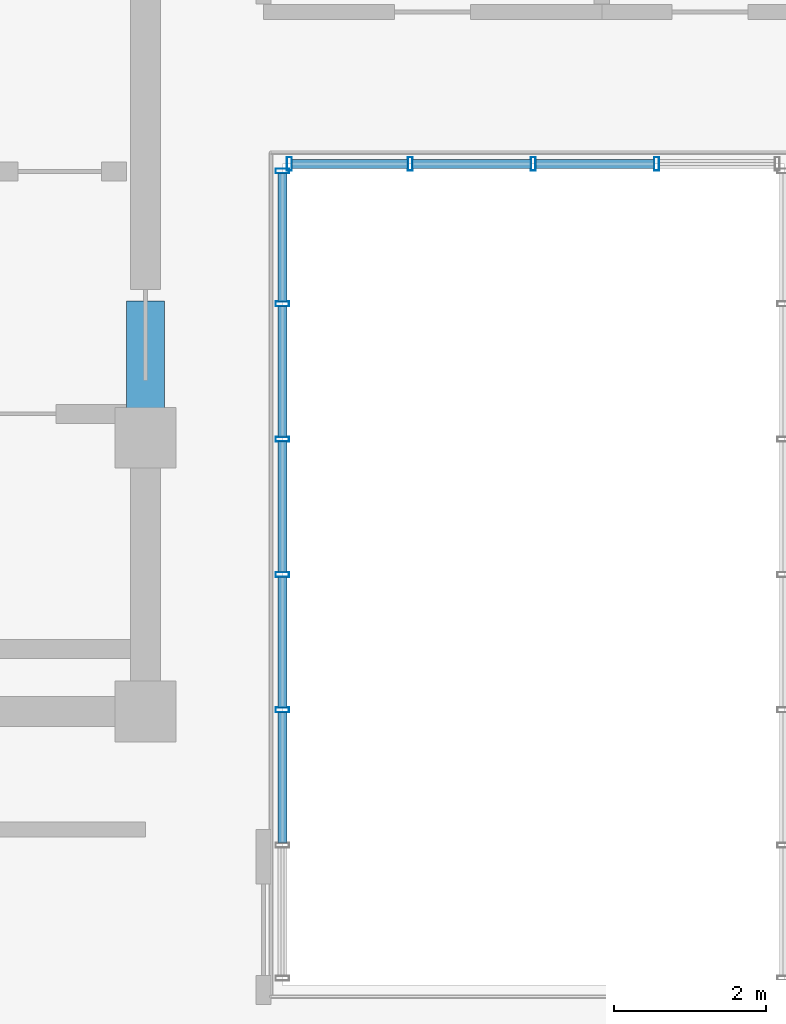
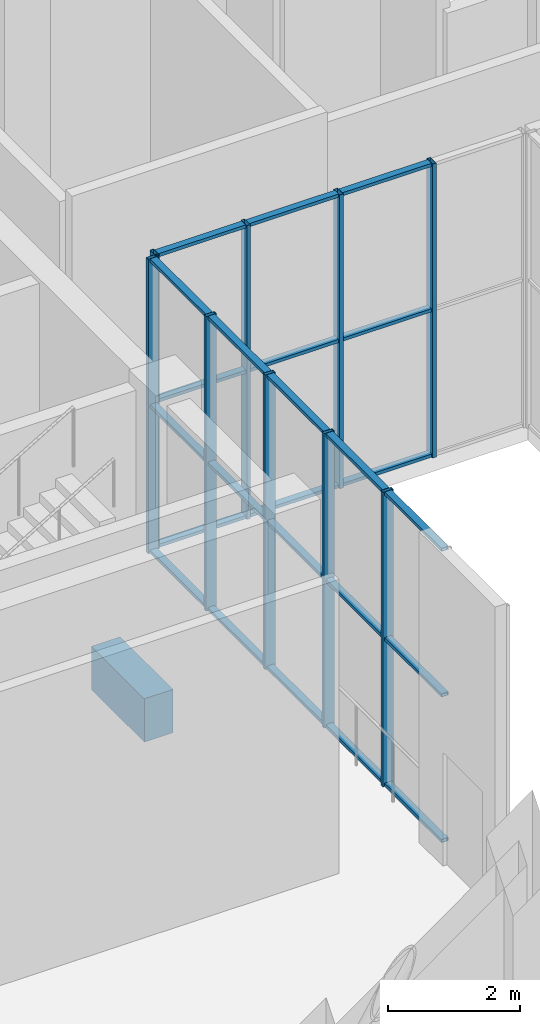
# One storey, part 5 of 17: 33 members, 1 beam, 2 elements without a shape of their own.
"""IFC4 building model written with IfcOpenShell, lengths in metres."""

from ifc_helpers import new_model, si_unit, direction, frame, origin, origin_2d, place, context, subcontext, project, spatial, rectangle, hollow_rectangle, extrude, material, layer, layer_set, material_profile, profile_set, type_object, element, aggregate, save


model = new_model("IFC4")

# Units and contexts
model_context = context("Model", 3, precision=1e-05, world=origin(), true_north=direction((0.0, 1.0)))
body_context = subcontext(model_context, "Body", "Model", "MODEL_VIEW")
ifc_project = project(units=[si_unit("LENGTHUNIT", "METRE"), si_unit("AREAUNIT", "SQUARE_METRE"), si_unit("VOLUMEUNIT", "CUBIC_METRE"), si_unit("PLANEANGLEUNIT", "RADIAN"), si_unit("MASSUNIT", "GRAM", prefix="KILO")], contexts=[model_context])

# Site, building, storey
site_placement = place(None, origin())
site = spatial("IfcSite", under=ifc_project, at=site_placement, CompositionType="ELEMENT")
building_placement = place(site_placement, origin())
building = spatial("IfcBuilding", under=site, at=building_placement, Name="Solnavia Interchange Tower", CompositionType="ELEMENT")
storey_placement = place(building_placement, frame((0.0, 0.0, 249.800048828125)))
storey = spatial("IfcBuildingStorey", under=building, at=storey_placement, Name="L63", CompositionType="ELEMENT", Elevation=249.800048828125)

# Beam
ifc_material_1 = material(Name="Concrete C50/60", Category="concrete")
ifc_material_profile_1 = material_profile(ifc_material_1, rectangle(XDim=0.5, YDim=0.800048828125, at=origin_2d()), Name="RC 500x800")
ifc_profile_set_1 = profile_set([ifc_material_profile_1], Name="Concrete C50/60")
beam_type = type_object("IfcBeamType", Name="Beam-Coupling-RC500x800", PredefinedType="LINTEL", material=ifc_profile_set_1)
beam_placement = place(storey_placement, frame((32.39990234375, 14.60009765625, -0.400146484375), z_axis=(0.0, 1.0, 0.0), x_axis=(-1.0, 0.0, 0.0)))
element("IfcBeam", 1, at=beam_placement, inside=storey, type_object=beam_type, Name="CPB-L63-E1 Core coupling lintel beam", PredefinedType="LINTEL", context=body_context, shape_type="SweptSolid", body=[
    extrude(rectangle(XDim=0.5, YDim=0.800048828125, at=origin_2d()), origin(), (0.0, 0.0, 1.0), 1.599853515625),
])

# Curtain wall, members
ifc_material_2 = material(Name="Aluminium Alloy 6063-T6", Category="aluminium")
ifc_layer = layer(ifc_material_2, 0.199951171875)
ifc_layer_set = layer_set([ifc_layer], Name="Aluminium Alloy 6063-T6")
curtain_wall_type = type_object("IfcCurtainWallType", Name="CurtainWall-Louvre-CTW5", PredefinedType="NOTDEFINED", material=ifc_layer_set)
curtain_wall_1_placement = place(storey_placement, origin())
curtain_wall_1 = element("IfcCurtainWall", 2, at=curtain_wall_1_placement, inside=storey, type_object=curtain_wall_type, Name="CTW-L63-WP1 CTW-5 curtain wall", PredefinedType="NOTDEFINED")
ifc_material_profile_2 = material_profile(ifc_material_2, hollow_rectangle(XDim=0.06494140625, YDim=0.179931640625, WallThickness=0.00439453125, at=origin_2d()), Name="ALU 180x65x4.5")
ifc_profile_set_2 = profile_set([ifc_material_profile_2], Name="Aluminium Alloy 6063-T6")
member_type_1 = type_object("IfcMemberType", Name="CW-Mullion-CWM-5", PredefinedType="MULLION", material=ifc_profile_set_2)
member_1_placement = place(storey_placement, frame((34.29248046875, 18.0, 0.0), z_axis=(0.0, 0.0, 1.0), x_axis=(1.0, 0.0, 0.0)))
member_1 = element("IfcMember", 3, at=member_1_placement, type_object=member_type_1, Name="CTW-5 mullion 1", PredefinedType="MULLION", context=body_context, shape_type="SweptSolid", body=[
    extrude(hollow_rectangle(XDim=0.06494140625, YDim=0.179931640625, WallThickness=0.00439453125, at=origin_2d()), origin(), (0.0, 0.0, 1.0), 5.419921875),
])
member_2_placement = place(storey_placement, frame((35.8798828125, 18.0, 0.0), z_axis=(0.0, 0.0, 1.0), x_axis=(1.0, 0.0, 0.0)))
member_2 = element("IfcMember", 4, at=member_2_placement, type_object=member_type_1, Name="CTW-5 mullion 2", PredefinedType="MULLION", context=body_context, shape_type="SweptSolid", body=[
    extrude(hollow_rectangle(XDim=0.06494140625, YDim=0.179931640625, WallThickness=0.00439453125, at=origin_2d()), origin(), (0.0, 0.0, 1.0), 5.419921875),
])
member_3_placement = place(storey_placement, frame((37.5, 18.0, 0.0), z_axis=(0.0, 0.0, 1.0), x_axis=(1.0, 0.0, 0.0)))
member_3 = element("IfcMember", 5, at=member_3_placement, type_object=member_type_1, Name="CTW-5 mullion 3", PredefinedType="MULLION", context=body_context, shape_type="SweptSolid", body=[
    extrude(hollow_rectangle(XDim=0.06494140625, YDim=0.179931640625, WallThickness=0.00439453125, at=origin_2d()), origin(), (0.0, 0.0, 1.0), 5.419921875),
])
member_4_placement = place(storey_placement, frame((39.1201171875, 18.0, 0.0), z_axis=(0.0, 0.0, 1.0), x_axis=(1.0, 0.0, 0.0)))
member_4 = element("IfcMember", 6, at=member_4_placement, type_object=member_type_1, Name="CTW-5 mullion 4", PredefinedType="MULLION", context=body_context, shape_type="SweptSolid", body=[
    extrude(hollow_rectangle(XDim=0.06494140625, YDim=0.179931640625, WallThickness=0.00439453125, at=origin_2d()), origin(), (0.0, 0.0, 1.0), 5.419921875),
])

curtain_wall_2_placement = place(storey_placement, origin())
curtain_wall_2 = element("IfcCurtainWall", 7, at=curtain_wall_2_placement, inside=storey, type_object=curtain_wall_type, Name="CTW-L63-WP2 CTW-5 curtain wall", PredefinedType="NOTDEFINED")
member_5_placement = place(storey_placement, frame((34.199951171875, 10.820068359375, 0.0), z_axis=(0.0, 0.0, 1.0), x_axis=(0.0, 1.0, 0.0)))
member_5 = element("IfcMember", 8, at=member_5_placement, type_object=member_type_1, Name="CTW-5 mullion 3", PredefinedType="MULLION", context=body_context, shape_type="SweptSolid", body=[
    extrude(hollow_rectangle(XDim=0.06494140625, YDim=0.179931640625, WallThickness=0.00439453125, at=origin_2d()), origin(), (0.0, 0.0, 1.0), 5.429931640625),
])
member_6_placement = place(storey_placement, frame((34.199951171875, 12.60009765625, 0.0), z_axis=(0.0, 0.0, 1.0), x_axis=(0.0, 1.0, 0.0)))
member_6 = element("IfcMember", 9, at=member_6_placement, type_object=member_type_1, Name="CTW-5 mullion 4", PredefinedType="MULLION", context=body_context, shape_type="SweptSolid", body=[
    extrude(hollow_rectangle(XDim=0.06494140625, YDim=0.179931640625, WallThickness=0.00439453125, at=origin_2d()), origin(), (0.0, 0.0, 1.0), 5.429931640625),
])
member_7_placement = place(storey_placement, frame((34.199951171875, 14.3798828125, 0.0), z_axis=(0.0, 0.0, 1.0), x_axis=(0.0, 1.0, 0.0)))
member_7 = element("IfcMember", 10, at=member_7_placement, type_object=member_type_1, Name="CTW-5 mullion 5", PredefinedType="MULLION", context=body_context, shape_type="SweptSolid", body=[
    extrude(hollow_rectangle(XDim=0.06494140625, YDim=0.179931640625, WallThickness=0.00439453125, at=origin_2d()), origin(), (0.0, 0.0, 1.0), 5.429931640625),
])
member_8_placement = place(storey_placement, frame((34.199951171875, 16.159912109375, 0.0), z_axis=(0.0, 0.0, 1.0), x_axis=(0.0, 1.0, 0.0)))
member_8 = element("IfcMember", 11, at=member_8_placement, type_object=member_type_1, Name="CTW-5 mullion 6", PredefinedType="MULLION", context=body_context, shape_type="SweptSolid", body=[
    extrude(hollow_rectangle(XDim=0.06494140625, YDim=0.179931640625, WallThickness=0.00439453125, at=origin_2d()), origin(), (0.0, 0.0, 1.0), 5.429931640625),
])
member_9_placement = place(storey_placement, frame((34.199951171875, 17.907470703125, 0.0), z_axis=(0.0, 0.0, 1.0), x_axis=(0.0, 1.0, 0.0)))
member_9 = element("IfcMember", 12, at=member_9_placement, type_object=member_type_1, Name="CTW-5 mullion 7", PredefinedType="MULLION", context=body_context, shape_type="SweptSolid", body=[
    extrude(hollow_rectangle(XDim=0.06494140625, YDim=0.179931640625, WallThickness=0.00439453125, at=origin_2d()), origin(), (0.0, 0.0, 1.0), 5.429931640625),
])

# Member
ifc_material_profile_3 = material_profile(ifc_material_2, hollow_rectangle(XDim=0.06005859375, YDim=0.1201171875, WallThickness=0.00390625, at=origin_2d()), Name="ALU 120x60x4")
ifc_profile_set_3 = profile_set([ifc_material_profile_3], Name="Aluminium Alloy 6063-T6")
member_type_2 = type_object("IfcMemberType", Name="CW-Transom-CWT-5", PredefinedType="USERDEFINED", material=ifc_profile_set_3)
member_10_placement = place(storey_placement, frame((34.324951171875, 18.0, 0.030029296875), z_axis=(1.0, 0.0, 0.0), x_axis=(0.0, 0.0, 1.0)))
member_10 = element("IfcMember", 13, at=member_10_placement, type_object=member_type_2, Name="CTW-5 transom 1.1", ObjectType="TRANSOM", PredefinedType="USERDEFINED", context=body_context, shape_type="SweptSolid", body=[
    extrude(hollow_rectangle(XDim=0.06005859375, YDim=0.1201171875, WallThickness=0.00390625, at=origin_2d()), origin(), (0.0, 0.0, 1.0), 1.5224609375),
])

member_11_placement = place(storey_placement, frame((34.324951171875, 18.0, 2.7099609375), z_axis=(1.0, 0.0, 0.0), x_axis=(0.0, 0.0, 1.0)))
member_11 = element("IfcMember", 14, at=member_11_placement, type_object=member_type_2, Name="CTW-5 transom 1.2", ObjectType="TRANSOM", PredefinedType="USERDEFINED", context=body_context, shape_type="SweptSolid", body=[
    extrude(hollow_rectangle(XDim=0.06005859375, YDim=0.1201171875, WallThickness=0.00390625, at=origin_2d()), origin(), (0.0, 0.0, 1.0), 1.5224609375),
])

member_12_placement = place(storey_placement, frame((34.324951171875, 18.0, 5.389892578125), z_axis=(1.0, 0.0, 0.0), x_axis=(0.0, 0.0, 1.0)))
member_12 = element("IfcMember", 15, at=member_12_placement, type_object=member_type_2, Name="CTW-5 transom 1.3", ObjectType="TRANSOM", PredefinedType="USERDEFINED", context=body_context, shape_type="SweptSolid", body=[
    extrude(hollow_rectangle(XDim=0.06005859375, YDim=0.1201171875, WallThickness=0.00390625, at=origin_2d()), origin(), (0.0, 0.0, 1.0), 1.5224609375),
])

member_13_placement = place(storey_placement, frame((35.91259765625, 18.0, 0.030029296875), z_axis=(1.0, 0.0, 0.0), x_axis=(0.0, 0.0, 1.0)))
member_13 = element("IfcMember", 16, at=member_13_placement, type_object=member_type_2, Name="CTW-5 transom 2.1", ObjectType="TRANSOM", PredefinedType="USERDEFINED", context=body_context, shape_type="SweptSolid", body=[
    extrude(hollow_rectangle(XDim=0.06005859375, YDim=0.1201171875, WallThickness=0.00390625, at=origin_2d()), origin(), (0.0, 0.0, 1.0), 1.554931640625),
])

member_14_placement = place(storey_placement, frame((35.91259765625, 18.0, 2.7099609375), z_axis=(1.0, 0.0, 0.0), x_axis=(0.0, 0.0, 1.0)))
member_14 = element("IfcMember", 17, at=member_14_placement, type_object=member_type_2, Name="CTW-5 transom 2.2", ObjectType="TRANSOM", PredefinedType="USERDEFINED", context=body_context, shape_type="SweptSolid", body=[
    extrude(hollow_rectangle(XDim=0.06005859375, YDim=0.1201171875, WallThickness=0.00390625, at=origin_2d()), origin(), (0.0, 0.0, 1.0), 1.554931640625),
])

member_15_placement = place(storey_placement, frame((35.91259765625, 18.0, 5.389892578125), z_axis=(1.0, 0.0, 0.0), x_axis=(0.0, 0.0, 1.0)))
member_15 = element("IfcMember", 18, at=member_15_placement, type_object=member_type_2, Name="CTW-5 transom 2.3", ObjectType="TRANSOM", PredefinedType="USERDEFINED", context=body_context, shape_type="SweptSolid", body=[
    extrude(hollow_rectangle(XDim=0.06005859375, YDim=0.1201171875, WallThickness=0.00390625, at=origin_2d()), origin(), (0.0, 0.0, 1.0), 1.554931640625),
])

member_16_placement = place(storey_placement, frame((37.532470703125, 18.0, 0.030029296875), z_axis=(1.0, 0.0, 0.0), x_axis=(0.0, 0.0, 1.0)))
member_16 = element("IfcMember", 19, at=member_16_placement, type_object=member_type_2, Name="CTW-5 transom 3.1", ObjectType="TRANSOM", PredefinedType="USERDEFINED", context=body_context, shape_type="SweptSolid", body=[
    extrude(hollow_rectangle(XDim=0.06005859375, YDim=0.1201171875, WallThickness=0.00390625, at=origin_2d()), origin(), (0.0, 0.0, 1.0), 1.554931640625),
])

member_17_placement = place(storey_placement, frame((37.532470703125, 18.0, 2.7099609375), z_axis=(1.0, 0.0, 0.0), x_axis=(0.0, 0.0, 1.0)))
member_17 = element("IfcMember", 20, at=member_17_placement, type_object=member_type_2, Name="CTW-5 transom 3.2", ObjectType="TRANSOM", PredefinedType="USERDEFINED", context=body_context, shape_type="SweptSolid", body=[
    extrude(hollow_rectangle(XDim=0.06005859375, YDim=0.1201171875, WallThickness=0.00390625, at=origin_2d()), origin(), (0.0, 0.0, 1.0), 1.554931640625),
])

member_18_placement = place(storey_placement, frame((37.532470703125, 18.0, 5.389892578125), z_axis=(1.0, 0.0, 0.0), x_axis=(0.0, 0.0, 1.0)))
member_18 = element("IfcMember", 21, at=member_18_placement, type_object=member_type_2, Name="CTW-5 transom 3.3", ObjectType="TRANSOM", PredefinedType="USERDEFINED", context=body_context, shape_type="SweptSolid", body=[
    extrude(hollow_rectangle(XDim=0.06005859375, YDim=0.1201171875, WallThickness=0.00390625, at=origin_2d()), origin(), (0.0, 0.0, 1.0), 1.554931640625),
])

aggregate(curtain_wall_1, [member_1, member_2, member_3, member_4, member_10, member_11, member_12, member_13, member_14, member_15, member_16, member_17, member_18])

member_19_placement = place(storey_placement, frame((34.199951171875, 9.072509765625, 0.030029296875), z_axis=(0.0, 1.0, 0.0), x_axis=(0.0, 0.0, 1.0)))
member_19 = element("IfcMember", 22, at=member_19_placement, type_object=member_type_2, Name="CTW-5 transom 2.1", ObjectType="TRANSOM", PredefinedType="USERDEFINED", context=body_context, shape_type="SweptSolid", body=[
    extrude(hollow_rectangle(XDim=0.06005859375, YDim=0.1201171875, WallThickness=0.00390625, at=origin_2d()), origin(), (0.0, 0.0, 1.0), 1.715087890625),
])

member_20_placement = place(storey_placement, frame((34.199951171875, 9.072509765625, 2.71484375), z_axis=(0.0, 1.0, 0.0), x_axis=(0.0, 0.0, 1.0)))
member_20 = element("IfcMember", 23, at=member_20_placement, type_object=member_type_2, Name="CTW-5 transom 2.2", ObjectType="TRANSOM", PredefinedType="USERDEFINED", context=body_context, shape_type="SweptSolid", body=[
    extrude(hollow_rectangle(XDim=0.06005859375, YDim=0.1201171875, WallThickness=0.00390625, at=origin_2d()), origin(), (0.0, 0.0, 1.0), 1.715087890625),
])

member_21_placement = place(storey_placement, frame((34.199951171875, 9.072509765625, 5.39990234375), z_axis=(0.0, 1.0, 0.0), x_axis=(0.0, 0.0, 1.0)))
member_21 = element("IfcMember", 24, at=member_21_placement, type_object=member_type_2, Name="CTW-5 transom 2.3", ObjectType="TRANSOM", PredefinedType="USERDEFINED", context=body_context, shape_type="SweptSolid", body=[
    extrude(hollow_rectangle(XDim=0.06005859375, YDim=0.1201171875, WallThickness=0.00390625, at=origin_2d()), origin(), (0.0, 0.0, 1.0), 1.715087890625),
])

member_22_placement = place(storey_placement, frame((34.199951171875, 10.8525390625, 0.030029296875), z_axis=(0.0, 1.0, 0.0), x_axis=(0.0, 0.0, 1.0)))
member_22 = element("IfcMember", 25, at=member_22_placement, type_object=member_type_2, Name="CTW-5 transom 3.1", ObjectType="TRANSOM", PredefinedType="USERDEFINED", context=body_context, shape_type="SweptSolid", body=[
    extrude(hollow_rectangle(XDim=0.06005859375, YDim=0.1201171875, WallThickness=0.00390625, at=origin_2d()), origin(), (0.0, 0.0, 1.0), 1.71484375),
])

member_23_placement = place(storey_placement, frame((34.199951171875, 10.8525390625, 2.71484375), z_axis=(0.0, 1.0, 0.0), x_axis=(0.0, 0.0, 1.0)))
member_23 = element("IfcMember", 26, at=member_23_placement, type_object=member_type_2, Name="CTW-5 transom 3.2", ObjectType="TRANSOM", PredefinedType="USERDEFINED", context=body_context, shape_type="SweptSolid", body=[
    extrude(hollow_rectangle(XDim=0.06005859375, YDim=0.1201171875, WallThickness=0.00390625, at=origin_2d()), origin(), (0.0, 0.0, 1.0), 1.71484375),
])

member_24_placement = place(storey_placement, frame((34.199951171875, 10.8525390625, 5.39990234375), z_axis=(0.0, 1.0, 0.0), x_axis=(0.0, 0.0, 1.0)))
member_24 = element("IfcMember", 27, at=member_24_placement, type_object=member_type_2, Name="CTW-5 transom 3.3", ObjectType="TRANSOM", PredefinedType="USERDEFINED", context=body_context, shape_type="SweptSolid", body=[
    extrude(hollow_rectangle(XDim=0.06005859375, YDim=0.1201171875, WallThickness=0.00390625, at=origin_2d()), origin(), (0.0, 0.0, 1.0), 1.71484375),
])

member_25_placement = place(storey_placement, frame((34.199951171875, 12.632568359375, 0.030029296875), z_axis=(0.0, 1.0, 0.0), x_axis=(0.0, 0.0, 1.0)))
member_25 = element("IfcMember", 28, at=member_25_placement, type_object=member_type_2, Name="CTW-5 transom 4.1", ObjectType="TRANSOM", PredefinedType="USERDEFINED", context=body_context, shape_type="SweptSolid", body=[
    extrude(hollow_rectangle(XDim=0.06005859375, YDim=0.1201171875, WallThickness=0.00390625, at=origin_2d()), origin(), (0.0, 0.0, 1.0), 1.71484375),
])

member_26_placement = place(storey_placement, frame((34.199951171875, 12.632568359375, 2.71484375), z_axis=(0.0, 1.0, 0.0), x_axis=(0.0, 0.0, 1.0)))
member_26 = element("IfcMember", 29, at=member_26_placement, type_object=member_type_2, Name="CTW-5 transom 4.2", ObjectType="TRANSOM", PredefinedType="USERDEFINED", context=body_context, shape_type="SweptSolid", body=[
    extrude(hollow_rectangle(XDim=0.06005859375, YDim=0.1201171875, WallThickness=0.00390625, at=origin_2d()), origin(), (0.0, 0.0, 1.0), 1.71484375),
])

member_27_placement = place(storey_placement, frame((34.199951171875, 12.632568359375, 5.39990234375), z_axis=(0.0, 1.0, 0.0), x_axis=(0.0, 0.0, 1.0)))
member_27 = element("IfcMember", 30, at=member_27_placement, type_object=member_type_2, Name="CTW-5 transom 4.3", ObjectType="TRANSOM", PredefinedType="USERDEFINED", context=body_context, shape_type="SweptSolid", body=[
    extrude(hollow_rectangle(XDim=0.06005859375, YDim=0.1201171875, WallThickness=0.00390625, at=origin_2d()), origin(), (0.0, 0.0, 1.0), 1.71484375),
])

member_28_placement = place(storey_placement, frame((34.199951171875, 14.41259765625, 0.030029296875), z_axis=(0.0, 1.0, 0.0), x_axis=(0.0, 0.0, 1.0)))
member_28 = element("IfcMember", 31, at=member_28_placement, type_object=member_type_2, Name="CTW-5 transom 5.1", ObjectType="TRANSOM", PredefinedType="USERDEFINED", context=body_context, shape_type="SweptSolid", body=[
    extrude(hollow_rectangle(XDim=0.06005859375, YDim=0.1201171875, WallThickness=0.00390625, at=origin_2d()), origin(), (0.0, 0.0, 1.0), 1.71484375),
])

member_29_placement = place(storey_placement, frame((34.199951171875, 14.41259765625, 2.71484375), z_axis=(0.0, 1.0, 0.0), x_axis=(0.0, 0.0, 1.0)))
member_29 = element("IfcMember", 32, at=member_29_placement, type_object=member_type_2, Name="CTW-5 transom 5.2", ObjectType="TRANSOM", PredefinedType="USERDEFINED", context=body_context, shape_type="SweptSolid", body=[
    extrude(hollow_rectangle(XDim=0.06005859375, YDim=0.1201171875, WallThickness=0.00390625, at=origin_2d()), origin(), (0.0, 0.0, 1.0), 1.71484375),
])

member_30_placement = place(storey_placement, frame((34.199951171875, 14.41259765625, 5.39990234375), z_axis=(0.0, 1.0, 0.0), x_axis=(0.0, 0.0, 1.0)))
member_30 = element("IfcMember", 33, at=member_30_placement, type_object=member_type_2, Name="CTW-5 transom 5.3", ObjectType="TRANSOM", PredefinedType="USERDEFINED", context=body_context, shape_type="SweptSolid", body=[
    extrude(hollow_rectangle(XDim=0.06005859375, YDim=0.1201171875, WallThickness=0.00390625, at=origin_2d()), origin(), (0.0, 0.0, 1.0), 1.71484375),
])

member_31_placement = place(storey_placement, frame((34.199951171875, 16.1923828125, 0.030029296875), z_axis=(0.0, 1.0, 0.0), x_axis=(0.0, 0.0, 1.0)))
member_31 = element("IfcMember", 34, at=member_31_placement, type_object=member_type_2, Name="CTW-5 transom 6.1", ObjectType="TRANSOM", PredefinedType="USERDEFINED", context=body_context, shape_type="SweptSolid", body=[
    extrude(hollow_rectangle(XDim=0.06005859375, YDim=0.1201171875, WallThickness=0.00390625, at=origin_2d()), origin(), (0.0, 0.0, 1.0), 1.6826171875),
])

member_32_placement = place(storey_placement, frame((34.199951171875, 16.1923828125, 2.71484375), z_axis=(0.0, 1.0, 0.0), x_axis=(0.0, 0.0, 1.0)))
member_32 = element("IfcMember", 35, at=member_32_placement, type_object=member_type_2, Name="CTW-5 transom 6.2", ObjectType="TRANSOM", PredefinedType="USERDEFINED", context=body_context, shape_type="SweptSolid", body=[
    extrude(hollow_rectangle(XDim=0.06005859375, YDim=0.1201171875, WallThickness=0.00390625, at=origin_2d()), origin(), (0.0, 0.0, 1.0), 1.6826171875),
])

member_33_placement = place(storey_placement, frame((34.199951171875, 16.1923828125, 5.39990234375), z_axis=(0.0, 1.0, 0.0), x_axis=(0.0, 0.0, 1.0)))
member_33 = element("IfcMember", 36, at=member_33_placement, type_object=member_type_2, Name="CTW-5 transom 6.3", ObjectType="TRANSOM", PredefinedType="USERDEFINED", context=body_context, shape_type="SweptSolid", body=[
    extrude(hollow_rectangle(XDim=0.06005859375, YDim=0.1201171875, WallThickness=0.00390625, at=origin_2d()), origin(), (0.0, 0.0, 1.0), 1.6826171875),
])

aggregate(curtain_wall_2, [member_5, member_6, member_7, member_8, member_9, member_19, member_20, member_21, member_22, member_23, member_24, member_25, member_26, member_27, member_28, member_29, member_30, member_31, member_32, member_33])

save(model, "model.ifc")
